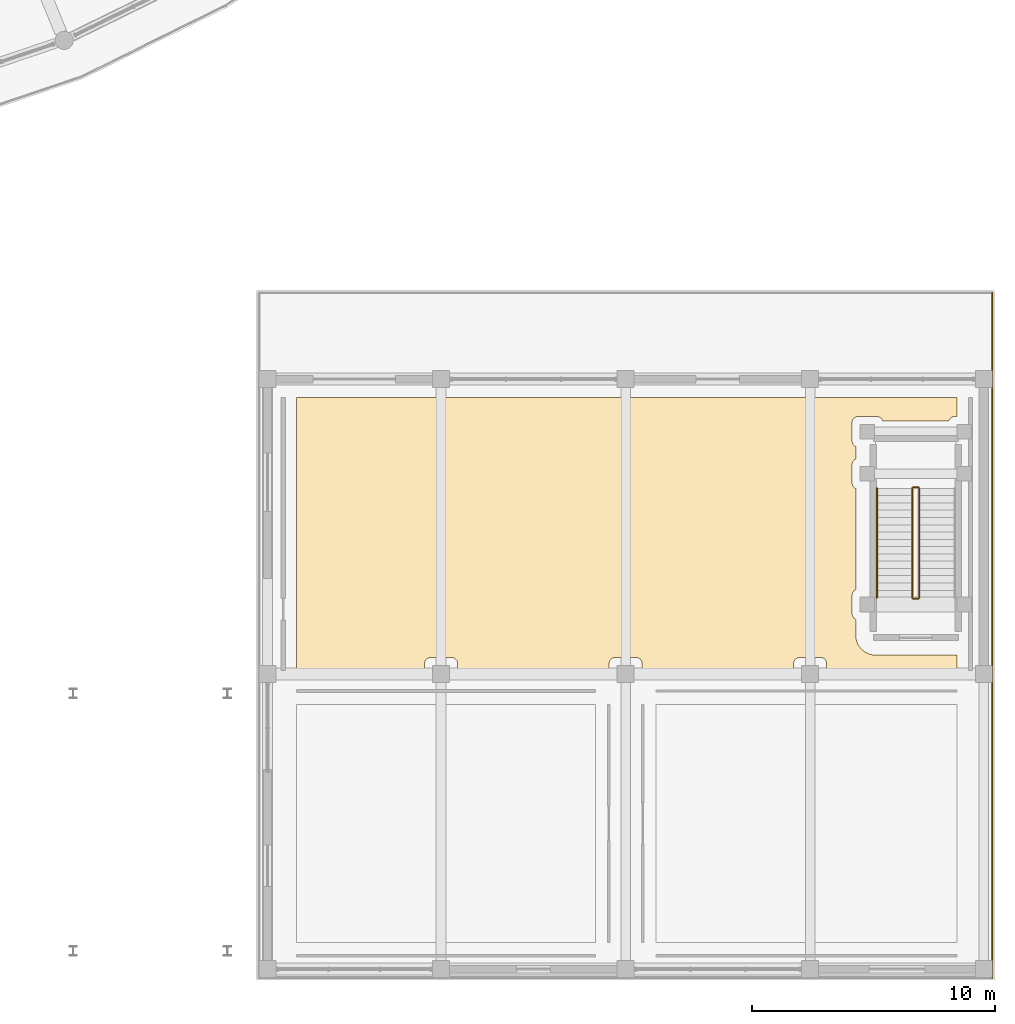
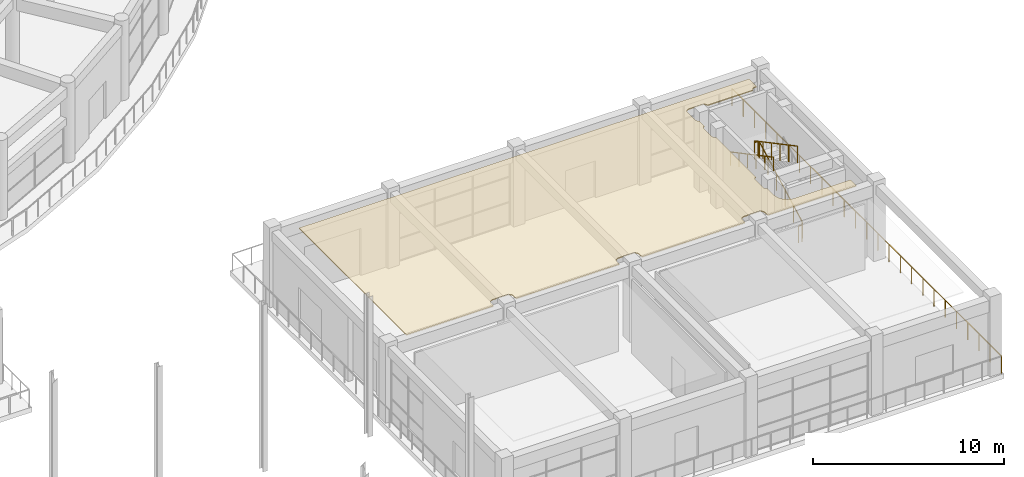
# One storey, part 83 of 99: 6 railings, 1 covering.
"""IFC4 building model written with IfcOpenShell, lengths in metres."""

from ifc_helpers import new_model, si_unit, direction, frame, origin, origin_2d, place, context, subcontext, project, spatial, polyline, rectangle, outline, extrude, material, layer, layer_set, type_object, element, save


model = new_model("IFC4")

# Units and contexts
model_context = context("Model", 3, precision=1e-05, world=origin(), true_north=direction((0.0, 1.0)))
body_context = subcontext(model_context, "Body", "Model", "MODEL_VIEW")
ifc_project = project(units=[si_unit("LENGTHUNIT", "METRE"), si_unit("AREAUNIT", "SQUARE_METRE"), si_unit("VOLUMEUNIT", "CUBIC_METRE"), si_unit("PLANEANGLEUNIT", "RADIAN"), si_unit("MASSUNIT", "GRAM", prefix="KILO")], contexts=[model_context])

# Site, building, storey
site_placement = place(None, origin())
site = spatial("IfcSite", under=ifc_project, at=site_placement, CompositionType="ELEMENT")
building_placement = place(site_placement, origin())
building = spatial("IfcBuilding", under=site, at=building_placement, Name="Saryqyr Civic Hall", CompositionType="ELEMENT")
storey_placement = place(building_placement, origin())
storey = spatial("IfcBuildingStorey", under=building, at=storey_placement, Name="L00", CompositionType="ELEMENT", Elevation=0.0)

# Covering
ifc_material_1 = material(Name="Mineral-fibre acoustic ceiling tile", Category="acoustic_tile")
ifc_layer_1 = layer(ifc_material_1, 0.06005859375, Name="Mineral-fibre acoustic ceiling tile")
ifc_layer_set_1 = layer_set([ifc_layer_1], Name="Mineral-fibre acoustic ceiling tile")
covering_type = type_object("IfcCoveringType", Name="INT-COV-CEIL-60", PredefinedType="CEILING", material=ifc_layer_set_1)
covering_placement = place(storey_placement, frame((0.0, 0.0, 4.760009765625)))
element("IfcCovering", 1, at=covering_placement, inside=storey, type_object=covering_type, Name="Acoustic ceiling East Gatehouse Protected Exit Lobby and Service Hall", PredefinedType="CEILING", context=body_context, shape_type="SweptSolid", body=[
    extrude(outline(polyline([(112.360107421875, 23.2099609375), (112.33544921875, 23.208740234375), (112.311279296875, 23.205078125), (112.287353515625, 23.19921875), (112.264404296875, 23.19091796875), (112.2421875, 23.180419921875), (112.22119140625, 23.16796875), (112.201416015625, 23.1533203125), (112.18310546875, 23.13671875), (112.166748046875, 23.11865234375), (112.152099609375, 23.098876953125), (112.139404296875, 23.077880859375), (112.12890625, 23.0556640625), (112.120849609375, 23.03271484375), (112.11767578125, 23.02001953125), (109.38232421875, 23.02001953125), (109.379150390625, 23.03271484375), (109.37109375, 23.0556640625), (109.360595703125, 23.077880859375), (109.347900390625, 23.098876953125), (109.333251953125, 23.11865234375), (109.31689453125, 23.13671875), (109.298583984375, 23.1533203125), (109.27880859375, 23.16796875), (109.2578125, 23.180419921875), (109.235595703125, 23.19091796875), (109.212646484375, 23.19921875), (109.188720703125, 23.205078125), (109.16455078125, 23.208740234375), (109.139892578125, 23.2099609375), (108.3798828125, 23.2099609375), (108.35546875, 23.208740234375), (108.331298828125, 23.205078125), (108.307373046875, 23.19921875), (108.2841796875, 23.19091796875), (108.26220703125, 23.180419921875), (108.2412109375, 23.16796875), (108.221435546875, 23.1533203125), (108.203125, 23.13671875), (108.186767578125, 23.11865234375), (108.172119140625, 23.098876953125), (108.159423828125, 23.077880859375), (108.14892578125, 23.0556640625), (108.140869140625, 23.03271484375), (108.134765625, 23.0087890625), (108.131103515625, 22.984619140625), (108.1298828125, 22.9599609375), (108.1298828125, 22.199951171875), (108.131103515625, 22.175537109375), (108.134765625, 22.151123046875), (108.140869140625, 22.12744140625), (108.14892578125, 22.104248046875), (108.159423828125, 22.082275390625), (108.172119140625, 22.06103515625), (108.186767578125, 22.04150390625), (108.203125, 22.023193359375), (108.221435546875, 22.006591796875), (108.2412109375, 21.9921875), (108.26220703125, 21.9794921875), (108.280029296875, 21.97119140625), (108.280029296875, 21.458984375), (108.26220703125, 21.450439453125), (108.2412109375, 21.43798828125), (108.221435546875, 21.42333984375), (108.203125, 21.40673828125), (108.186767578125, 21.388671875), (108.172119140625, 21.368896484375), (108.159423828125, 21.347900390625), (108.14892578125, 21.32568359375), (108.140869140625, 21.302490234375), (108.134765625, 21.27880859375), (108.131103515625, 21.25439453125), (108.1298828125, 21.22998046875), (108.1298828125, 20.469970703125), (108.131103515625, 20.445556640625), (108.134765625, 20.421142578125), (108.140869140625, 20.3974609375), (108.14892578125, 20.374267578125), (108.159423828125, 20.352294921875), (108.172119140625, 20.3310546875), (108.186767578125, 20.311279296875), (108.203125, 20.293212890625), (108.221435546875, 20.276611328125), (108.2412109375, 20.26220703125), (108.26220703125, 20.24951171875), (108.280029296875, 20.2412109375), (108.280029296875, 16.073974609375), (108.26220703125, 16.0654296875), (108.2412109375, 16.052978515625), (108.221435546875, 16.038330078125), (108.203125, 16.021728515625), (108.186767578125, 16.003662109375), (108.172119140625, 15.98388671875), (108.159423828125, 15.962890625), (108.14892578125, 15.940673828125), (108.140869140625, 15.91748046875), (108.134765625, 15.893798828125), (108.131103515625, 15.869384765625), (108.1298828125, 15.844970703125), (108.1298828125, 15.0849609375), (108.131103515625, 15.060546875), (108.134765625, 15.0361328125), (108.140869140625, 15.012451171875), (108.14892578125, 14.9892578125), (108.159423828125, 14.96728515625), (108.172119140625, 14.946044921875), (108.186767578125, 14.926513671875), (108.203125, 14.908203125), (108.221435546875, 14.8916015625), (108.2412109375, 14.877197265625), (108.26220703125, 14.864501953125), (108.280029296875, 14.856201171875), (108.280029296875, 14.199951171875), (108.280517578125, 14.180419921875), (108.282470703125, 14.13916015625), (108.286376953125, 14.10009765625), (108.29248046875, 14.059326171875), (108.300048828125, 14.02099609375), (108.31005859375, 13.98095703125), (108.321533203125, 13.943359375), (108.33544921875, 13.904541015625), (108.350341796875, 13.868408203125), (108.367919921875, 13.8310546875), (108.386474609375, 13.79638671875), (108.40771484375, 13.760986328125), (108.429443359375, 13.728515625), (108.4541015625, 13.6953125), (108.47900390625, 13.664794921875), (108.506591796875, 13.634521484375), (108.534423828125, 13.606689453125), (108.56494140625, 13.5791015625), (108.59521484375, 13.55419921875), (108.62841796875, 13.529541015625), (108.660888671875, 13.5078125), (108.6962890625, 13.486572265625), (108.73095703125, 13.468017578125), (108.768310546875, 13.450439453125), (108.804443359375, 13.435302734375), (108.84326171875, 13.42138671875), (108.880859375, 13.41015625), (108.9208984375, 13.400146484375), (108.95947265625, 13.392333984375), (109.0, 13.386474609375), (109.039306640625, 13.382568359375), (109.080322265625, 13.380615234375), (109.10009765625, 13.3798828125), (112.39990234375, 13.3798828125), (112.419677734375, 13.380615234375), (112.449951171875, 13.382080078125), (112.449951171875, 12.75), (107.080078125, 12.75), (107.080078125, 13.030029296875), (107.078857421875, 13.054443359375), (107.0751953125, 13.078857421875), (107.069091796875, 13.1025390625), (107.06103515625, 13.125732421875), (107.050537109375, 13.147705078125), (107.037841796875, 13.1689453125), (107.023193359375, 13.188720703125), (107.0068359375, 13.206787109375), (106.988525390625, 13.223388671875), (106.968994140625, 13.23779296875), (106.94775390625, 13.25048828125), (106.92578125, 13.260986328125), (106.902587890625, 13.269287109375), (106.87890625, 13.275146484375), (106.8544921875, 13.27880859375), (106.830078125, 13.280029296875), (105.969970703125, 13.280029296875), (105.945556640625, 13.27880859375), (105.921142578125, 13.275146484375), (105.8974609375, 13.269287109375), (105.874267578125, 13.260986328125), (105.852294921875, 13.25048828125), (105.8310546875, 13.23779296875), (105.811279296875, 13.223388671875), (105.793212890625, 13.206787109375), (105.776611328125, 13.188720703125), (105.76220703125, 13.1689453125), (105.74951171875, 13.147705078125), (105.739013671875, 13.125732421875), (105.730712890625, 13.1025390625), (105.724853515625, 13.078857421875), (105.72119140625, 13.054443359375), (105.719970703125, 13.030029296875), (105.719970703125, 12.75), (99.47998046875, 12.75), (99.47998046875, 13.030029296875), (99.478759765625, 13.054443359375), (99.47509765625, 13.078857421875), (99.46923828125, 13.1025390625), (99.4609375, 13.125732421875), (99.450439453125, 13.147705078125), (99.43798828125, 13.1689453125), (99.42333984375, 13.188720703125), (99.40673828125, 13.206787109375), (99.388671875, 13.223388671875), (99.368896484375, 13.23779296875), (99.347900390625, 13.25048828125), (99.32568359375, 13.260986328125), (99.302490234375, 13.269287109375), (99.27880859375, 13.275146484375), (99.25439453125, 13.27880859375), (99.22998046875, 13.280029296875), (98.3701171875, 13.280029296875), (98.345458984375, 13.27880859375), (98.3212890625, 13.275146484375), (98.29736328125, 13.269287109375), (98.2744140625, 13.260986328125), (98.252197265625, 13.25048828125), (98.231201171875, 13.23779296875), (98.21142578125, 13.223388671875), (98.193115234375, 13.206787109375), (98.1767578125, 13.188720703125), (98.162109375, 13.1689453125), (98.1494140625, 13.147705078125), (98.138916015625, 13.125732421875), (98.130859375, 13.1025390625), (98.124755859375, 13.078857421875), (98.12109375, 13.054443359375), (98.1201171875, 13.030029296875), (98.1201171875, 12.75), (91.8798828125, 12.75), (91.8798828125, 13.030029296875), (91.87890625, 13.054443359375), (91.875244140625, 13.078857421875), (91.869140625, 13.1025390625), (91.861083984375, 13.125732421875), (91.8505859375, 13.147705078125), (91.837890625, 13.1689453125), (91.8232421875, 13.188720703125), (91.806884765625, 13.206787109375), (91.78857421875, 13.223388671875), (91.768798828125, 13.23779296875), (91.747802734375, 13.25048828125), (91.7255859375, 13.260986328125), (91.70263671875, 13.269287109375), (91.6787109375, 13.275146484375), (91.654541015625, 13.27880859375), (91.6298828125, 13.280029296875), (90.77001953125, 13.280029296875), (90.74560546875, 13.27880859375), (90.72119140625, 13.275146484375), (90.697509765625, 13.269287109375), (90.67431640625, 13.260986328125), (90.652099609375, 13.25048828125), (90.631103515625, 13.23779296875), (90.611328125, 13.223388671875), (90.59326171875, 13.206787109375), (90.57666015625, 13.188720703125), (90.56201171875, 13.1689453125), (90.549560546875, 13.147705078125), (90.5390625, 13.125732421875), (90.53076171875, 13.1025390625), (90.52490234375, 13.078857421875), (90.521240234375, 13.054443359375), (90.52001953125, 13.030029296875), (90.52001953125, 12.75), (85.25, 12.75), (85.25, 24.0), (112.449951171875, 24.0), (112.449951171875, 23.2099609375), (112.360107421875, 23.2099609375)])), origin(), (0.0, 0.0, 1.0), 0.06005859375),
])

# Railings
ifc_material_2 = material(Name="Warm brushed brass and laminated glass", Category="glass")
ifc_layer_2 = layer(ifc_material_2, 0.06005859375, Name="Warm brushed brass and laminated glass")
ifc_layer_set_2 = layer_set([ifc_layer_2], Name="Warm brushed brass and laminated glass")
railing_type_1 = type_object("IfcRailingType", Name="INT-RLG-BAL-1100", PredefinedType="BALUSTRADE", material=ifc_layer_set_2)
railing_1_placement = place(storey_placement, frame((110.89990234375, 15.75, 0.159423828125)))
element("IfcRailing", 2, at=railing_1_placement, inside=storey, type_object=railing_type_1, Name="L00 ST-8 stair guard 1", PredefinedType="BALUSTRADE", context=body_context, shape_type="SweptSolid", body=[
    extrude(rectangle(XDim=0.048095703125, YDim=0.048095703125, at=origin_2d()), frame((0.0, 0.0, 1.076171875), z_axis=(0.0, 0.883115719457, 0.469155225962), x_axis=(-1.0, 0.0, 0.0)), (0.0, 0.0, 1.0), 5.095703125),
    extrude(rectangle(XDim=0.0419921875, YDim=0.0419921875, at=origin_2d()), origin(), (0.0, 0.0, 1.0), 1.052001953125),
    extrude(rectangle(XDim=0.0419921875, YDim=0.0419921875, at=origin_2d()), frame((0.0, 0.89990234375, 0.47802734375)), (0.0, 0.0, 1.0), 1.052001953125),
    extrude(rectangle(XDim=0.0419921875, YDim=0.0419921875, at=origin_2d()), frame((0.0, 1.800048828125, 0.956298828125)), (0.0, 0.0, 1.0), 1.052001953125),
    extrude(rectangle(XDim=0.0419921875, YDim=0.0419921875, at=origin_2d()), frame((0.0, 2.699951171875, 1.434326171875)), (0.0, 0.0, 1.0), 1.052001953125),
    extrude(rectangle(XDim=0.0419921875, YDim=0.0419921875, at=origin_2d()), frame((0.0, 3.60009765625, 1.91259765625)), (0.0, 0.0, 1.0), 1.052001953125),
    extrude(rectangle(XDim=0.0419921875, YDim=0.0419921875, at=origin_2d()), frame((0.0, 4.5, 2.390625)), (0.0, 0.0, 1.0), 1.052001953125),
])
railing_2_placement = place(storey_placement, frame((110.85009765625, 20.300048828125, 2.550048828125)))
element("IfcRailing", 3, at=railing_2_placement, inside=storey, type_object=railing_type_1, Name="L00 ST-8 stair guard 2", PredefinedType="BALUSTRADE", context=body_context, shape_type="SweptSolid", body=[
    extrude(rectangle(XDim=0.048095703125, YDim=0.048095703125, at=origin_2d()), frame((0.0, 0.0, 1.076171875), z_axis=(-1.0, 0.0, 0.0), x_axis=(0.0, -1.0, 0.0)), (0.0, 0.0, 1.0), 0.2001953125),
    extrude(rectangle(XDim=0.0419921875, YDim=0.0419921875, at=origin_2d()), origin(), (0.0, 0.0, 1.0), 1.052001953125),
    extrude(rectangle(XDim=0.0419921875, YDim=0.0419921875, at=origin_2d()), frame((-0.2001953125, 0.0, 0.0)), (0.0, 0.0, 1.0), 1.052001953125),
])
railing_3_placement = place(storey_placement, frame((110.60009765625, 20.25, 2.70947265625)))
element("IfcRailing", 4, at=railing_3_placement, inside=storey, type_object=railing_type_1, Name="L00 ST-8 stair guard 3", PredefinedType="BALUSTRADE", context=body_context, shape_type="SweptSolid", body=[
    extrude(rectangle(XDim=0.048095703125, YDim=0.048095703125, at=origin_2d()), frame((0.0, 0.0, 1.076171875), z_axis=(0.0, -0.883115719457, 0.469155225962), x_axis=(1.0, 0.0, 0.0)), (0.0, 0.0, 1.0), 5.095703125),
    extrude(rectangle(XDim=0.0419921875, YDim=0.0419921875, at=origin_2d()), origin(), (0.0, 0.0, 1.0), 1.052001953125),
    extrude(rectangle(XDim=0.0419921875, YDim=0.0419921875, at=origin_2d()), frame((0.0, -0.89990234375, 0.47802734375)), (0.0, 0.0, 1.0), 1.052001953125),
    extrude(rectangle(XDim=0.0419921875, YDim=0.0419921875, at=origin_2d()), frame((0.0, -1.800048828125, 0.956298828125)), (0.0, 0.0, 1.0), 1.052001953125),
    extrude(rectangle(XDim=0.0419921875, YDim=0.0419921875, at=origin_2d()), frame((0.0, -2.699951171875, 1.434326171875)), (0.0, 0.0, 1.0), 1.052001953125),
    extrude(rectangle(XDim=0.0419921875, YDim=0.0419921875, at=origin_2d()), frame((0.0, -3.60009765625, 1.91259765625)), (0.0, 0.0, 1.0), 1.052001953125),
    extrude(rectangle(XDim=0.0419921875, YDim=0.0419921875, at=origin_2d()), frame((0.0, -4.5, 2.390625)), (0.0, 0.0, 1.0), 1.052001953125),
])
railing_4_placement = place(storey_placement, frame((110.85009765625, 15.699951171875, 0.0)))
element("IfcRailing", 5, at=railing_4_placement, inside=storey, type_object=railing_type_1, Name="L00 ST-8 stair guard 4", PredefinedType="BALUSTRADE", context=body_context, shape_type="SweptSolid", body=[
    extrude(rectangle(XDim=0.048095703125, YDim=0.048095703125, at=origin_2d()), frame((0.0, 0.0, 1.076171875), z_axis=(-1.0, 0.0, 0.0), x_axis=(0.0, -1.0, 0.0)), (0.0, 0.0, 1.0), 0.2001953125),
    extrude(rectangle(XDim=0.0419921875, YDim=0.0419921875, at=origin_2d()), origin(), (0.0, 0.0, 1.0), 1.052001953125),
    extrude(rectangle(XDim=0.0419921875, YDim=0.0419921875, at=origin_2d()), frame((-0.2001953125, 0.0, 0.0)), (0.0, 0.0, 1.0), 1.052001953125),
])
railing_5_placement = place(storey_placement, frame((113.89990234375, 28.300048828125, 0.0)))
element("IfcRailing", 6, at=railing_5_placement, inside=storey, type_object=railing_type_1, Name="Interior deck safety balustrade L00-002", PredefinedType="BALUSTRADE", context=body_context, shape_type="SweptSolid", body=[
    extrude(rectangle(XDim=0.048095703125, YDim=0.048095703125, at=origin_2d()), frame((0.0, 0.0, 1.09619140625), z_axis=(0.0, -1.0, 0.0), x_axis=(1.0, 0.0, 0.0)), (0.0, 0.0, 1.0), 28.199951171875),
    extrude(rectangle(XDim=0.0419921875, YDim=0.0419921875, at=origin_2d()), origin(), (0.0, 0.0, 1.0), 1.072021484375),
    extrude(rectangle(XDim=0.0419921875, YDim=0.0419921875, at=origin_2d()), frame((0.0, -1.175048828125, 0.0)), (0.0, 0.0, 1.0), 1.072021484375),
    extrude(rectangle(XDim=0.0419921875, YDim=0.0419921875, at=origin_2d()), frame((0.0, -2.35009765625, 0.0)), (0.0, 0.0, 1.0), 1.072021484375),
    extrude(rectangle(XDim=0.0419921875, YDim=0.0419921875, at=origin_2d()), frame((0.0, -3.52490234375, 0.0)), (0.0, 0.0, 1.0), 1.072021484375),
    extrude(rectangle(XDim=0.0419921875, YDim=0.0419921875, at=origin_2d()), frame((0.0, -4.699951171875, 0.0)), (0.0, 0.0, 1.0), 1.072021484375),
    extrude(rectangle(XDim=0.0419921875, YDim=0.0419921875, at=origin_2d()), frame((0.0, -5.875, 0.0)), (0.0, 0.0, 1.0), 1.072021484375),
    extrude(rectangle(XDim=0.0419921875, YDim=0.0419921875, at=origin_2d()), frame((0.0, -7.050048828125, 0.0)), (0.0, 0.0, 1.0), 1.072021484375),
    extrude(rectangle(XDim=0.0419921875, YDim=0.0419921875, at=origin_2d()), frame((0.0, -8.22509765625, 0.0)), (0.0, 0.0, 1.0), 1.072021484375),
    extrude(rectangle(XDim=0.0419921875, YDim=0.0419921875, at=origin_2d()), frame((0.0, -9.39990234375, 0.0)), (0.0, 0.0, 1.0), 1.072021484375),
    extrude(rectangle(XDim=0.0419921875, YDim=0.0419921875, at=origin_2d()), frame((0.0, -10.574951171875, 0.0)), (0.0, 0.0, 1.0), 1.072021484375),
    extrude(rectangle(XDim=0.0419921875, YDim=0.0419921875, at=origin_2d()), frame((0.0, -11.75, 0.0)), (0.0, 0.0, 1.0), 1.072021484375),
    extrude(rectangle(XDim=0.0419921875, YDim=0.0419921875, at=origin_2d()), frame((0.0, -12.925048828125, 0.0)), (0.0, 0.0, 1.0), 1.072021484375),
    extrude(rectangle(XDim=0.0419921875, YDim=0.0419921875, at=origin_2d()), frame((0.0, -14.10009765625, 0.0)), (0.0, 0.0, 1.0), 1.072021484375),
    extrude(rectangle(XDim=0.0419921875, YDim=0.0419921875, at=origin_2d()), frame((0.0, -15.27490234375, 0.0)), (0.0, 0.0, 1.0), 1.072021484375),
    extrude(rectangle(XDim=0.0419921875, YDim=0.0419921875, at=origin_2d()), frame((0.0, -16.449951171875, 0.0)), (0.0, 0.0, 1.0), 1.072021484375),
    extrude(rectangle(XDim=0.0419921875, YDim=0.0419921875, at=origin_2d()), frame((0.0, -17.625, 0.0)), (0.0, 0.0, 1.0), 1.072021484375),
    extrude(rectangle(XDim=0.0419921875, YDim=0.0419921875, at=origin_2d()), frame((0.0, -18.800048828125, 0.0)), (0.0, 0.0, 1.0), 1.072021484375),
    extrude(rectangle(XDim=0.0419921875, YDim=0.0419921875, at=origin_2d()), frame((0.0, -19.974853515625, 0.0)), (0.0, 0.0, 1.0), 1.072021484375),
    extrude(rectangle(XDim=0.0419921875, YDim=0.0419921875, at=origin_2d()), frame((0.0, -21.14990234375, 0.0)), (0.0, 0.0, 1.0), 1.072021484375),
    extrude(rectangle(XDim=0.0419921875, YDim=0.0419921875, at=origin_2d()), frame((0.0, -22.324951171875, 0.0)), (0.0, 0.0, 1.0), 1.072021484375),
    extrude(rectangle(XDim=0.0419921875, YDim=0.0419921875, at=origin_2d()), frame((0.0, -23.5, 0.0)), (0.0, 0.0, 1.0), 1.072021484375),
    extrude(rectangle(XDim=0.0419921875, YDim=0.0419921875, at=origin_2d()), frame((0.0, -24.675048828125, 0.0)), (0.0, 0.0, 1.0), 1.072021484375),
    extrude(rectangle(XDim=0.0419921875, YDim=0.0419921875, at=origin_2d()), frame((0.0, -25.849853515625, 0.0)), (0.0, 0.0, 1.0), 1.072021484375),
    extrude(rectangle(XDim=0.0419921875, YDim=0.0419921875, at=origin_2d()), frame((0.0, -27.02490234375, 0.0)), (0.0, 0.0, 1.0), 1.072021484375),
    extrude(rectangle(XDim=0.0419921875, YDim=0.0419921875, at=origin_2d()), frame((0.0, -28.199951171875, 0.0)), (0.0, 0.0, 1.0), 1.072021484375),
])
ifc_material_3 = material(Name="Stainless steel", Category="steel")
ifc_layer_3 = layer(ifc_material_3, 0.050048828125, Name="Stainless steel")
ifc_layer_set_3 = layer_set([ifc_layer_3], Name="Stainless steel")
railing_type_2 = type_object("IfcRailingType", Name="INT-RLG-HND-900", PredefinedType="HANDRAIL", material=ifc_layer_set_3)
railing_6_placement = place(storey_placement, frame((109.14990234375, 20.25, 2.70947265625)))
element("IfcRailing", 7, at=railing_6_placement, inside=storey, type_object=railing_type_2, Name="L00 ST-8 stair handrail 2", PredefinedType="HANDRAIL", context=body_context, shape_type="SweptSolid", body=[
    extrude(rectangle(XDim=0.048095703125, YDim=0.048095703125, at=origin_2d()), frame((0.0, 0.0, 0.8759765625), z_axis=(0.0, -0.883115719457, 0.469155225962), x_axis=(1.0, 0.0, 0.0)), (0.0, 0.0, 1.0), 5.095703125),
    extrude(rectangle(XDim=0.0419921875, YDim=0.0419921875, at=origin_2d()), origin(), (0.0, 0.0, 1.0), 0.851806640625),
    extrude(rectangle(XDim=0.0419921875, YDim=0.0419921875, at=origin_2d()), frame((0.0, -0.89990234375, 0.47802734375)), (0.0, 0.0, 1.0), 0.851806640625),
    extrude(rectangle(XDim=0.0419921875, YDim=0.0419921875, at=origin_2d()), frame((0.0, -1.800048828125, 0.956298828125)), (0.0, 0.0, 1.0), 0.851806640625),
    extrude(rectangle(XDim=0.0419921875, YDim=0.0419921875, at=origin_2d()), frame((0.0, -2.699951171875, 1.434326171875)), (0.0, 0.0, 1.0), 0.851806640625),
    extrude(rectangle(XDim=0.0419921875, YDim=0.0419921875, at=origin_2d()), frame((0.0, -3.60009765625, 1.91259765625)), (0.0, 0.0, 1.0), 0.851806640625),
    extrude(rectangle(XDim=0.0419921875, YDim=0.0419921875, at=origin_2d()), frame((0.0, -4.5, 2.390625)), (0.0, 0.0, 1.0), 0.851806640625),
])

save(model, "model.ifc")
